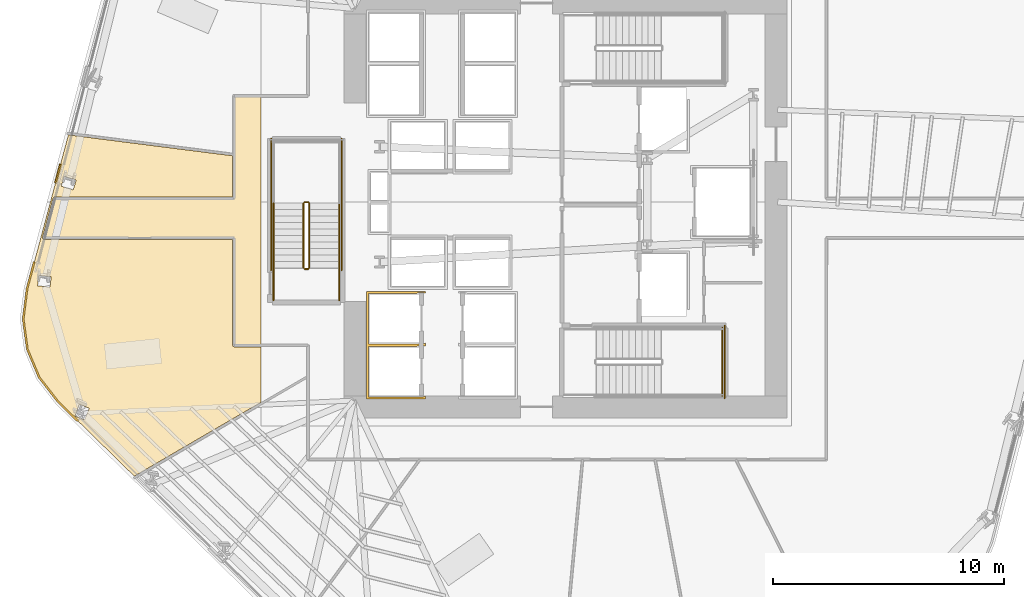
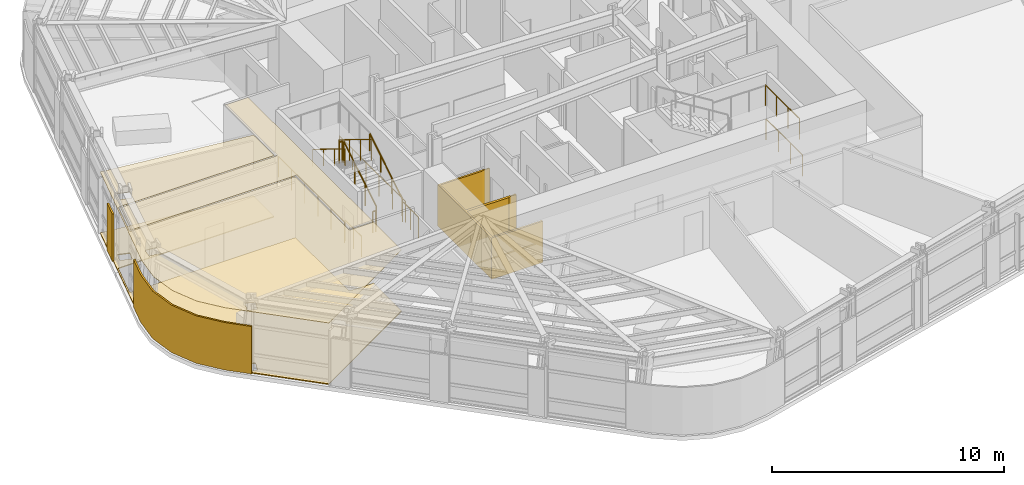
# One storey, part 12 of 16: 12 railings, 6 coverings.
"""IFC4 building model written with IfcOpenShell, lengths in metres."""

from ifc_helpers import new_model, si_unit, direction, frame, origin, origin_2d, place, context, subcontext, project, spatial, polyline, circle, outline, extrude, material, layer, layer_set, type_object, element, save


model = new_model("IFC4")

# Units and contexts
model_context = context("Model", 3, precision=1e-05, world=origin(), true_north=direction((0.0, 1.0)))
body_context = subcontext(model_context, "Body", "Model", "MODEL_VIEW")
ifc_project = project(units=[si_unit("LENGTHUNIT", "METRE"), si_unit("AREAUNIT", "SQUARE_METRE"), si_unit("VOLUMEUNIT", "CUBIC_METRE"), si_unit("PLANEANGLEUNIT", "RADIAN"), si_unit("MASSUNIT", "GRAM", prefix="KILO")], contexts=[model_context])

# Site, building, storey
site_placement = place(None, origin())
site = spatial("IfcSite", under=ifc_project, at=site_placement, CompositionType="ELEMENT")
building_placement = place(site_placement, origin())
building = spatial("IfcBuilding", under=site, at=building_placement, Name="Valkerne Bourse Tower", CompositionType="ELEMENT")
storey_placement = place(building_placement, frame((0.0, 0.0, 89.60009765625)))
storey = spatial("IfcBuildingStorey", under=building, at=storey_placement, Name="L22", CompositionType="ELEMENT", Elevation=89.60009765625)

# Coverings
ifc_material_1 = material(Name="Mineral Fiber Acoustic Ceiling Tile", Category="acoustic")
ifc_layer_1 = layer(ifc_material_1, 0.02490234375)
ifc_layer_set_1 = layer_set([ifc_layer_1], Name="Mineral Fiber Acoustic Ceiling Tile")
covering_type_1 = type_object("IfcCoveringType", Name="COV-CEIL-ACT", PredefinedType="CEILING", material=ifc_layer_set_1)
covering_1_placement = place(storey_placement, frame((0.0, 0.0, 3.22998046875)))
element("IfcCovering", 1, at=covering_1_placement, inside=storey, type_object=covering_type_1, Name="L22 Suspended Ceiling 08", PredefinedType="CEILING", context=body_context, shape_type="SweptSolid", body=[
    extrude(outline(polyline([(23.489501953125, 20.623046875), (23.310302734375, 21.930419921875), (23.476806640625, 23.24853515625), (25.2626953125, 29.91162109375), (32.381103515625, 29.00537109375), (32.381103515625, 27.218994140625), (24.646728515625, 27.217041015625), (24.615478515625, 27.199951171875), (24.596923828125, 27.16845703125), (24.14111328125, 25.46728515625), (24.14306640625, 25.42578125), (24.16748046875, 25.393798828125), (24.207275390625, 25.381103515625), (32.381103515625, 25.381103515625), (32.381103515625, 20.799560546875), (32.390380859375, 20.764892578125), (32.414794921875, 20.740478515625), (32.449462890625, 20.73095703125), (33.60009765625, 20.73095703125), (33.60009765625, 18.31982421875), (28.1181640625, 15.12255859375), (24.815185546875, 18.356689453125), (24.0009765625, 19.406494140625), (23.489501953125, 20.623046875)]), holes=[polyline([(26.165771484375, 18.061279296875), (26.164306640625, 18.064453125), (25.746337890625, 18.228271484375), (25.548095703125, 17.728515625), (25.54931640625, 17.725341796875), (25.96728515625, 17.5615234375), (26.165771484375, 18.061279296875)]), polyline([(24.51513671875, 23.76318359375), (23.9794921875, 23.822509765625), (23.929443359375, 23.377197265625), (23.9296875, 23.3740234375), (24.46533203125, 23.314697265625), (24.515625, 23.760009765625), (24.51513671875, 23.76318359375)]), polyline([(25.6015625, 27.958740234375), (25.0869140625, 28.11767578125), (24.953857421875, 27.689697265625), (24.95361328125, 27.686279296875), (25.468505859375, 27.527587890625), (25.6015625, 27.955810546875), (25.6015625, 27.958740234375)])]), origin(), (0.0, 0.0, 1.0), 0.02490234375),
])
ifc_material_2 = material(Name="Bronze Anodised Aluminium AA 6063-T6", Category="aluminium")
ifc_layer_2 = layer(ifc_material_2, 0.030029296875)
ifc_layer_set_2 = layer_set([ifc_layer_2], Name="Bronze Anodised Aluminium AA 6063-T6")
covering_type_2 = type_object("IfcCoveringType", Name="COV-CEIL-METAL", PredefinedType="CEILING", material=ifc_layer_set_2)
covering_2_placement = place(storey_placement, frame((0.0, 0.0, 3.22998046875)))
element("IfcCovering", 2, at=covering_2_placement, inside=storey, type_object=covering_type_2, Name="L22 Suspended Ceiling 02", PredefinedType="CEILING", context=body_context, shape_type="SweptSolid", body=[
    extrude(outline(polyline([(32.4541015625, 20.803955078125), (32.4541015625, 25.4541015625), (24.212890625, 25.4541015625), (24.66650390625, 27.14599609375), (32.4541015625, 27.14599609375), (32.4541015625, 31.595947265625), (33.60009765625, 31.595947265625), (33.60009765625, 20.803955078125), (32.4541015625, 20.803955078125)])), origin(), (0.0, 0.0, 1.0), 0.02490234375),
])
ifc_layer_3 = layer(ifc_material_2, 0.06005859375)
ifc_layer_set_3 = layer_set([ifc_layer_3], Name="Bronze Anodised Aluminium AA 6063-T6")
covering_type_3 = type_object("IfcCoveringType", Name="COV-CRN-ALUM", PredefinedType="CLADDING", material=ifc_layer_set_3)
covering_3_placement = place(storey_placement, origin())
element("IfcCovering", 3, at=covering_3_placement, inside=storey, type_object=covering_type_3, Name="L22 Wind-Shaped Corner Aluminium Cladding 09", PredefinedType="CLADDING", context=body_context, shape_type="SweptSolid", body=[
    extrude(outline(polyline([(24.7822265625, 18.327392578125), (23.962646484375, 19.384033203125), (23.44677734375, 20.611328125), (23.26611328125, 21.93017578125), (23.43359375, 23.257080078125), (23.745361328125, 24.419921875), (23.82275390625, 24.3994140625), (23.51220703125, 23.24169921875), (23.3466796875, 21.9306640625), (23.5244140625, 20.632568359375), (24.0322265625, 19.4248046875), (24.84228515625, 18.380615234375), (25.69873046875, 17.5419921875), (25.642578125, 17.485107421875), (24.7822265625, 18.327392578125)])), origin(), (0.0, 0.0, 1.0), 2.5),
])
covering_4_placement = place(storey_placement, origin())
element("IfcCovering", 4, at=covering_4_placement, inside=storey, type_object=covering_type_3, Name="L22 Wind-Shaped Corner Aluminium Cladding 10", PredefinedType="CLADDING", context=body_context, shape_type="SweptSolid", body=[
    extrude(outline(polyline([(24.8798828125, 28.6533203125), (24.95751953125, 28.633056640625), (24.739990234375, 27.82177734375), (24.66259765625, 27.842041015625), (24.8798828125, 28.6533203125)])), origin(), (0.0, 0.0, 1.0), 2.5),
])
ifc_material_3 = material(Name="Galvanised Painted Steel", Category="steel")
ifc_layer_4 = layer(ifc_material_3, 0.044921875)
ifc_layer_set_4 = layer_set([ifc_layer_4], Name="Galvanised Painted Steel")
covering_type_4 = type_object("IfcCoveringType", Name="COV-FLR-RAF", PredefinedType="FLOORING", material=ifc_layer_set_4)
covering_5_placement = place(storey_placement, origin())
element("IfcCovering", 5, at=covering_5_placement, inside=storey, type_object=covering_type_4, Name="L22 Floor Finish 08", PredefinedType="FLOORING", context=body_context, shape_type="SweptSolid", body=[
    extrude(outline(polyline([(23.489501953125, 20.623046875), (23.310302734375, 21.930419921875), (23.476806640625, 23.24853515625), (25.2626953125, 29.91162109375), (32.381103515625, 29.00537109375), (32.381103515625, 27.218994140625), (24.646728515625, 27.217041015625), (24.615478515625, 27.199951171875), (24.596923828125, 27.16845703125), (24.14111328125, 25.46728515625), (24.14306640625, 25.42578125), (24.16748046875, 25.393798828125), (24.207275390625, 25.381103515625), (32.381103515625, 25.381103515625), (32.381103515625, 20.799560546875), (32.390380859375, 20.764892578125), (32.414794921875, 20.740478515625), (32.449462890625, 20.73095703125), (33.60009765625, 20.73095703125), (33.60009765625, 18.31982421875), (28.1181640625, 15.12255859375), (24.815185546875, 18.356689453125), (24.0009765625, 19.406494140625), (23.489501953125, 20.623046875)]), holes=[polyline([(26.165771484375, 18.061279296875), (26.164306640625, 18.064453125), (25.746337890625, 18.228271484375), (25.548095703125, 17.728515625), (25.54931640625, 17.725341796875), (25.96728515625, 17.5615234375), (26.165771484375, 18.061279296875)]), polyline([(24.51513671875, 23.76318359375), (23.9794921875, 23.822509765625), (23.929443359375, 23.377197265625), (23.9296875, 23.3740234375), (24.46533203125, 23.314697265625), (24.515625, 23.760009765625), (24.51513671875, 23.76318359375)]), polyline([(25.6015625, 27.958740234375), (25.0869140625, 28.11767578125), (24.953857421875, 27.689697265625), (24.95361328125, 27.686279296875), (25.468505859375, 27.527587890625), (25.6015625, 27.955810546875), (25.6015625, 27.958740234375)])]), origin(), (0.0, 0.0, 1.0), 0.044921875),
])
ifc_material_4 = material(Name="Gypsum Shaftwall Liner Board", Category="gypsum")
ifc_layer_5 = layer(ifc_material_4, 0.080078125)
ifc_layer_set_5 = layer_set([ifc_layer_5], Name="Gypsum Shaftwall Liner Board")
covering_type_5 = type_object("IfcCoveringType", Name="COV-SHF-CLAD", PredefinedType="CLADDING", material=ifc_layer_set_5)
covering_6_placement = place(storey_placement, origin())
element("IfcCovering", 6, at=covering_6_placement, inside=storey, type_object=covering_type_5, Name="L22 Hoistway & Riser Shaftwall Liner 01", PredefinedType="CLADDING", context=body_context, shape_type="SweptSolid", body=[
    extrude(outline(polyline([(38.169921875, 23.1298828125), (40.72998046875, 23.1298828125), (40.72998046875, 23.052001953125), (40.72216796875, 23.0556640625), (40.6806640625, 23.070556640625), (40.6376953125, 23.081298828125), (40.593994140625, 23.087890625), (40.550048828125, 23.090087890625), (40.505859375, 23.087890625), (40.462158203125, 23.081298828125), (40.41943359375, 23.070556640625), (40.377685546875, 23.0556640625), (40.344482421875, 23.0400390625), (38.260009765625, 23.0400390625), (38.260009765625, 20.860107421875), (40.456787109375, 20.860107421875), (40.462158203125, 20.858642578125), (40.505859375, 20.852294921875), (40.550048828125, 20.85009765625), (40.593994140625, 20.852294921875), (40.6376953125, 20.858642578125), (40.6806640625, 20.869384765625), (40.72216796875, 20.88427734375), (40.72998046875, 20.887939453125), (40.72998046875, 20.830078125), (40.72998046875, 20.77001953125), (40.72998046875, 20.752197265625), (40.72216796875, 20.755615234375), (40.6806640625, 20.7705078125), (40.6376953125, 20.781494140625), (40.593994140625, 20.787841796875), (40.550048828125, 20.7900390625), (40.505859375, 20.787841796875), (40.462158203125, 20.781494140625), (40.41943359375, 20.7705078125), (40.377685546875, 20.755615234375), (40.344482421875, 20.739990234375), (38.260009765625, 20.739990234375), (38.260009765625, 18.56005859375), (40.456787109375, 18.56005859375), (40.462158203125, 18.55859375), (40.505859375, 18.55224609375), (40.550048828125, 18.550048828125), (40.593994140625, 18.55224609375), (40.6376953125, 18.55859375), (40.6806640625, 18.5693359375), (40.72216796875, 18.584228515625), (40.72998046875, 18.587890625), (40.72998046875, 18.469970703125), (38.169921875, 18.469970703125), (38.169921875, 20.77001953125), (38.169921875, 20.830078125), (38.169921875, 23.1298828125)])), origin(), (0.0, 0.0, 1.0), 2.179931640625),
])

# Railings
railing_type_1 = type_object("IfcRailingType", Name="RLG-ST-GUARD-1120", PredefinedType="GUARDRAIL", material=ifc_material_3)
railing_1_placement = place(storey_placement, frame((53.60009765625, 18.60009765625, 1.89990234375)))
element("IfcRailing", 7, at=railing_1_placement, inside=storey, type_object=railing_type_1, Name="L22 ST-1 stair guard 5", PredefinedType="GUARDRAIL", context=body_context, shape_type="SweptSolid", body=[
    extrude(circle(Radius=0.02392578125, at=origin_2d()), frame((0.0, 0.0, 1.09619140625), z_axis=(0.0, 1.0, 0.0), x_axis=(-1.0, 0.0, 0.0)), (0.0, 0.0, 1.0), 2.949951171875),
    extrude(circle(Radius=0.02099609375, at=origin_2d()), origin(), (0.0, 0.0, 1.0), 1.072021484375),
    extrude(circle(Radius=0.02099609375, at=origin_2d()), frame((0.0, 0.9833984375, 0.0)), (0.0, 0.0, 1.0), 1.072021484375),
    extrude(circle(Radius=0.02099609375, at=origin_2d()), frame((0.0, 1.966552734375, 0.0)), (0.0, 0.0, 1.0), 1.072021484375),
    extrude(circle(Radius=0.02099609375, at=origin_2d()), frame((0.0, 2.949951171875, 0.0)), (0.0, 0.0, 1.0), 1.072021484375),
])
railing_2_placement = place(storey_placement, frame((53.699951171875, 18.5, 0.0)))
element("IfcRailing", 8, at=railing_2_placement, inside=storey, type_object=railing_type_1, Name="L22 ST-1 stair guard 12", PredefinedType="GUARDRAIL", context=body_context, shape_type="SweptSolid", body=[
    extrude(circle(Radius=0.02392578125, at=origin_2d()), frame((0.0, 0.0, 1.09619140625), z_axis=(0.0, 1.0, 0.0), x_axis=(-1.0, 0.0, 0.0)), (0.0, 0.0, 1.0), 3.14990234375),
    extrude(circle(Radius=0.02099609375, at=origin_2d()), origin(), (0.0, 0.0, 1.0), 1.072021484375),
    extrude(circle(Radius=0.02099609375, at=origin_2d()), frame((0.0, 1.050048828125, 0.0)), (0.0, 0.0, 1.0), 1.072021484375),
    extrude(circle(Radius=0.02099609375, at=origin_2d()), frame((0.0, 2.099853515625, 0.0)), (0.0, 0.0, 1.0), 1.072021484375),
    extrude(circle(Radius=0.02099609375, at=origin_2d()), frame((0.0, 3.14990234375, 0.0)), (0.0, 0.0, 1.0), 1.072021484375),
])
railing_3_placement = place(storey_placement, frame((35.699951171875, 24.14990234375, 0.172607421875)))
element("IfcRailing", 9, at=railing_3_placement, inside=storey, type_object=railing_type_1, Name="L22 ST-3 stair guard 1", PredefinedType="GUARDRAIL", context=body_context, shape_type="SweptSolid", body=[
    extrude(circle(Radius=0.02392578125, at=origin_2d()), frame((0.0, 0.0, 1.09619140625), z_axis=(0.0, 0.851089632645, 0.525020415988), x_axis=(-1.0, 0.0, 0.0)), (0.0, 0.0, 1.0), 3.2900390625),
    extrude(circle(Radius=0.02099609375, at=origin_2d()), origin(), (0.0, 0.0, 1.0), 1.072021484375),
    extrude(circle(Radius=0.02099609375, at=origin_2d()), frame((0.0, 0.933349609375, 0.57568359375)), (0.0, 0.0, 1.0), 1.072021484375),
    extrude(circle(Radius=0.02099609375, at=origin_2d()), frame((0.0, 1.86669921875, 1.151611328125)), (0.0, 0.0, 1.0), 1.072021484375),
    extrude(circle(Radius=0.02099609375, at=origin_2d()), frame((0.0, 2.800048828125, 1.727294921875)), (0.0, 0.0, 1.0), 1.072021484375),
])
railing_4_placement = place(storey_placement, frame((35.64990234375, 27.0, 1.89990234375)))
element("IfcRailing", 10, at=railing_4_placement, inside=storey, type_object=railing_type_1, Name="L22 ST-3 stair guard 2", PredefinedType="GUARDRAIL", context=body_context, shape_type="SweptSolid", body=[
    extrude(circle(Radius=0.02392578125, at=origin_2d()), frame((0.0, 0.0, 1.09619140625), z_axis=(-1.0, 0.0, 0.0), x_axis=(0.0, -1.0, 0.0)), (0.0, 0.0, 1.0), 0.14990234375),
    extrude(circle(Radius=0.02099609375, at=origin_2d()), origin(), (0.0, 0.0, 1.0), 1.072021484375),
    extrude(circle(Radius=0.02099609375, at=origin_2d()), frame((-0.14990234375, 0.0, 0.0)), (0.0, 0.0, 1.0), 1.072021484375),
])
railing_5_placement = place(storey_placement, frame((35.449951171875, 26.949951171875, 2.072509765625)))
element("IfcRailing", 11, at=railing_5_placement, inside=storey, type_object=railing_type_1, Name="L22 ST-3 stair guard 6", PredefinedType="GUARDRAIL", context=body_context, shape_type="SweptSolid", body=[
    extrude(circle(Radius=0.02392578125, at=origin_2d()), frame((0.0, 0.0, 1.09619140625), z_axis=(0.0, -0.851089632645, 0.525020415988), x_axis=(1.0, 0.0, 0.0)), (0.0, 0.0, 1.0), 3.2900390625),
    extrude(circle(Radius=0.02099609375, at=origin_2d()), origin(), (0.0, 0.0, 1.0), 1.072021484375),
    extrude(circle(Radius=0.02099609375, at=origin_2d()), frame((0.0, -0.933349609375, 0.57568359375)), (0.0, 0.0, 1.0), 1.072021484375),
    extrude(circle(Radius=0.02099609375, at=origin_2d()), frame((0.0, -1.86669921875, 1.151611328125)), (0.0, 0.0, 1.0), 1.072021484375),
    extrude(circle(Radius=0.02099609375, at=origin_2d()), frame((0.0, -2.800048828125, 1.727294921875)), (0.0, 0.0, 1.0), 1.072021484375),
])
railing_6_placement = place(storey_placement, frame((35.64990234375, 24.10009765625, 0.0)))
element("IfcRailing", 12, at=railing_6_placement, inside=storey, type_object=railing_type_1, Name="L22 ST-3 stair guard 7", PredefinedType="GUARDRAIL", context=body_context, shape_type="SweptSolid", body=[
    extrude(circle(Radius=0.02392578125, at=origin_2d()), frame((0.0, 0.0, 1.09619140625), z_axis=(-1.0, 0.0, 0.0), x_axis=(0.0, -1.0, 0.0)), (0.0, 0.0, 1.0), 0.14990234375),
    extrude(circle(Radius=0.02099609375, at=origin_2d()), origin(), (0.0, 0.0, 1.0), 1.072021484375),
    extrude(circle(Radius=0.02099609375, at=origin_2d()), frame((-0.14990234375, 0.0, 0.0)), (0.0, 0.0, 1.0), 1.072021484375),
])
for number, where, name in (
    (13, (37.0, 22.75, 0.0), "L22 ST-3 stair guard 8"),
    (14, (34.14990234375, 22.75, 0.0), "L22 ST-3 stair guard 9"),
):
    element("IfcRailing", number, at=place(storey_placement, frame(where)), inside=storey, type_object=railing_type_1, Name=name, PredefinedType="GUARDRAIL", context=body_context, shape_type="SweptSolid", body=[
        extrude(circle(Radius=0.02392578125, at=origin_2d()), frame((0.0, 0.0, 1.09619140625), z_axis=(0.0, 1.0, 0.0), x_axis=(-1.0, 0.0, 0.0)), (0.0, 0.0, 1.0), 1.39990234375),
        extrude(circle(Radius=0.02099609375, at=origin_2d()), origin(), (0.0, 0.0, 1.0), 1.072021484375),
        extrude(circle(Radius=0.02099609375, at=origin_2d()), frame((0.0, 0.699951171875, 0.0)), (0.0, 0.0, 1.0), 1.072021484375),
        extrude(circle(Radius=0.02099609375, at=origin_2d()), frame((0.0, 1.39990234375, 0.0)), (0.0, 0.0, 1.0), 1.072021484375),
    ])
for number, where, name in (
    (15, (37.10009765625, 24.050048828125, 0.0), "L22 ST-3 stair guard 10"),
    (16, (34.050048828125, 24.050048828125, 0.0), "L22 ST-3 stair guard 11"),
):
    element("IfcRailing", number, at=place(storey_placement, frame(where)), inside=storey, type_object=railing_type_1, Name=name, PredefinedType="GUARDRAIL", context=body_context, shape_type="SweptSolid", body=[
        extrude(circle(Radius=0.02392578125, at=origin_2d()), frame((0.0, 0.0, 1.09619140625), z_axis=(0.0, 1.0, 0.0), x_axis=(-1.0, 0.0, 0.0)), (0.0, 0.0, 1.0), 5.699951171875),
        extrude(circle(Radius=0.02099609375, at=origin_2d()), origin(), (0.0, 0.0, 1.0), 1.072021484375),
        extrude(circle(Radius=0.02099609375, at=origin_2d()), frame((0.0, 1.139892578125, 0.0)), (0.0, 0.0, 1.0), 1.072021484375),
        extrude(circle(Radius=0.02099609375, at=origin_2d()), frame((0.0, 2.280029296875, 0.0)), (0.0, 0.0, 1.0), 1.072021484375),
        extrude(circle(Radius=0.02099609375, at=origin_2d()), frame((0.0, 3.419921875, 0.0)), (0.0, 0.0, 1.0), 1.072021484375),
        extrude(circle(Radius=0.02099609375, at=origin_2d()), frame((0.0, 4.56005859375, 0.0)), (0.0, 0.0, 1.0), 1.072021484375),
        extrude(circle(Radius=0.02099609375, at=origin_2d()), frame((0.0, 5.699951171875, 0.0)), (0.0, 0.0, 1.0), 1.072021484375),
    ])
ifc_material_5 = material(Name="Stainless Steel AISI 316", Category="steel")
railing_type_2 = type_object("IfcRailingType", Name="RLG-ST-HANDRAIL-900", PredefinedType="HANDRAIL", material=ifc_material_5)
railing_7_placement = place(storey_placement, frame((37.0, 24.14990234375, 0.345458984375)))
element("IfcRailing", 17, at=railing_7_placement, inside=storey, type_object=railing_type_2, Name="L22 ST-3 stair handrail 1", PredefinedType="HANDRAIL", context=body_context, shape_type="SweptSolid", body=[
    extrude(circle(Radius=0.02392578125, at=origin_2d()), frame((0.0, 0.0, 0.8759765625), z_axis=(0.0, 0.851122791225, 0.524966660138), x_axis=(-1.0, 0.0, 0.0)), (0.0, 0.0, 1.0), 3.289794921875),
    extrude(circle(Radius=0.02099609375, at=origin_2d()), origin(), (0.0, 0.0, 1.0), 0.851806640625),
    extrude(circle(Radius=0.02099609375, at=origin_2d()), frame((0.0, 0.933349609375, 0.57568359375)), (0.0, 0.0, 1.0), 0.851806640625),
    extrude(circle(Radius=0.02099609375, at=origin_2d()), frame((0.0, 1.86669921875, 1.1513671875)), (0.0, 0.0, 1.0), 0.851806640625),
    extrude(circle(Radius=0.02099609375, at=origin_2d()), frame((0.0, 2.800048828125, 1.72705078125)), (0.0, 0.0, 1.0), 0.851806640625),
])
railing_8_placement = place(storey_placement, frame((34.14990234375, 26.949951171875, 2.245361328125)))
element("IfcRailing", 18, at=railing_8_placement, inside=storey, type_object=railing_type_2, Name="L22 ST-3 stair handrail 2", PredefinedType="HANDRAIL", context=body_context, shape_type="SweptSolid", body=[
    extrude(circle(Radius=0.02392578125, at=origin_2d()), frame((0.0, 0.0, 0.8759765625), z_axis=(0.0, -0.851089632645, 0.525020415988), x_axis=(1.0, 0.0, 0.0)), (0.0, 0.0, 1.0), 3.2900390625),
    extrude(circle(Radius=0.02099609375, at=origin_2d()), origin(), (0.0, 0.0, 1.0), 0.851806640625),
    extrude(circle(Radius=0.02099609375, at=origin_2d()), frame((0.0, -0.933349609375, 0.57568359375)), (0.0, 0.0, 1.0), 0.851806640625),
    extrude(circle(Radius=0.02099609375, at=origin_2d()), frame((0.0, -1.86669921875, 1.151611328125)), (0.0, 0.0, 1.0), 0.851806640625),
    extrude(circle(Radius=0.02099609375, at=origin_2d()), frame((0.0, -2.800048828125, 1.727294921875)), (0.0, 0.0, 1.0), 0.851806640625),
])

save(model, "model.ifc")
